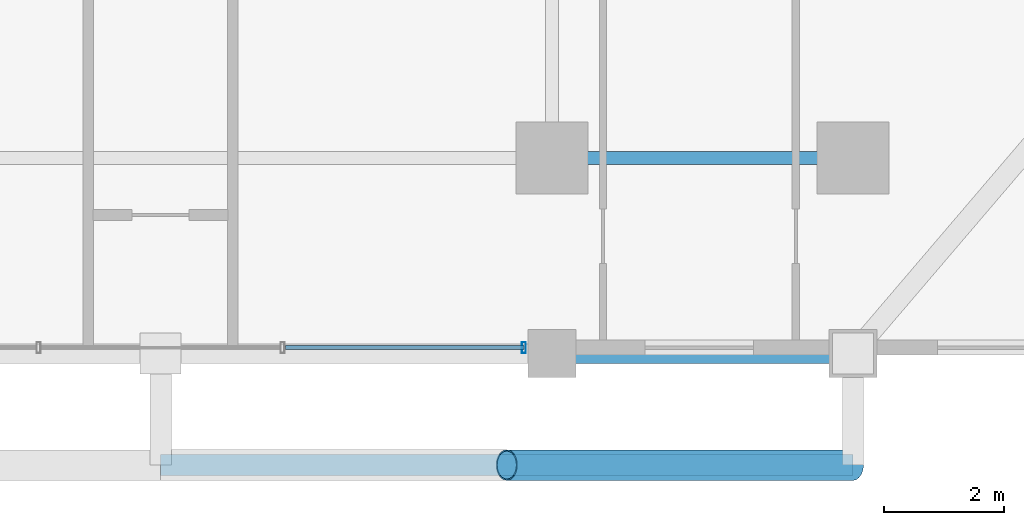
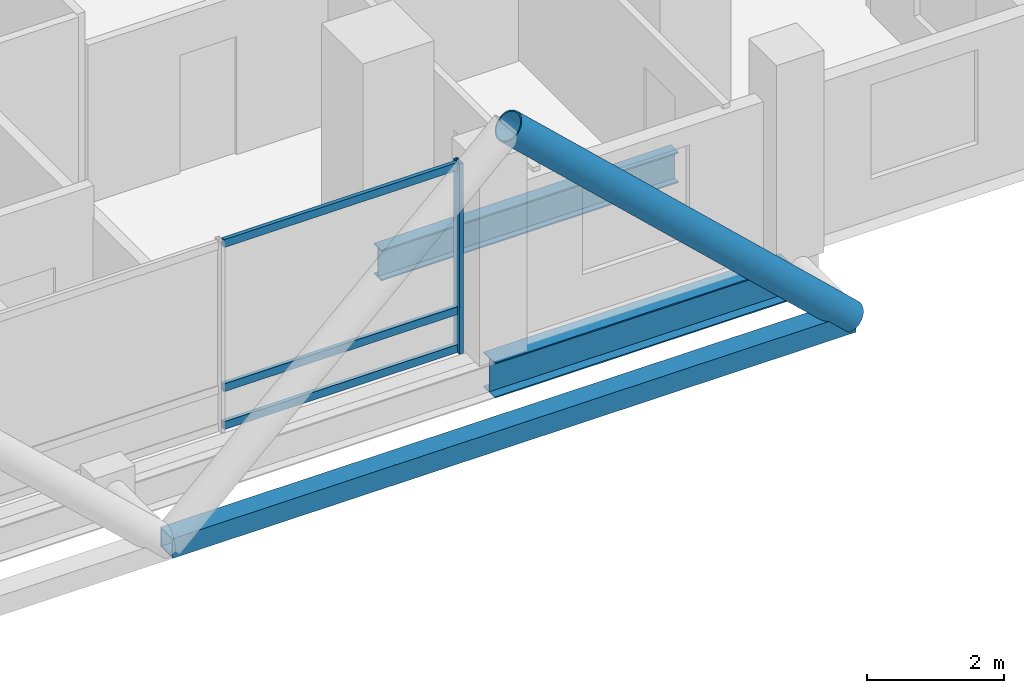
# One storey, part 3 of 25: 6 members, 2 beams, 1 element without a shape of its own.
"""IFC4 building model written with IfcOpenShell, lengths in metres."""

import ifcopenshell
import ifcopenshell.guid

model = None  # the IFC model being written
_history = None  # IfcOwnerHistory: only IFC2X3 demands one
_inside = {}  # id of a spatial element -> (the spatial element, [elements in it])
_under = {}  # id of a project, library or spatial element -> (it, [spatial elements below it])
_declared = {}  # id of a project -> (the project, [libraries it declares])
_typed = {}  # id of a type object -> (the type object, [elements of that type])
_made_of = {}  # id of a material, layer set ... -> (it, [elements and type objects made of it])


def new_model(schema):
    """Start an empty IFC model of exactly this schema.

    Asked for "IFC4X3", IfcOpenShell would pick the latest addendum, in which some entities
    have other attributes; the version numbers below select the first issue.
    IFC2X3 requires an IfcOwnerHistory on every rooted entity: one is made here for all.
    """
    global model, _history
    if schema == "IFC4X3":
        model = ifcopenshell.file(schema_version=(4, 3, 0, 0))
    else:
        model = ifcopenshell.file(schema=schema)
    _inside.clear()
    _under.clear()
    _declared.clear()
    _typed.clear()
    _made_of.clear()
    _history = None
    if model.schema == "IFC2X3":
        org = make("IfcOrganization", Name="unknown")
        user = make(
            "IfcPersonAndOrganization",
            ThePerson=make("IfcPerson", FamilyName="unknown"),
            TheOrganization=org,
        )
        app = make(
            "IfcApplication",
            ApplicationDeveloper=org,
            Version="unknown",
            ApplicationFullName="unknown",
            ApplicationIdentifier="unknown",
        )
        _history = make(
            "IfcOwnerHistory",
            OwningUser=user,
            OwningApplication=app,
            ChangeAction="ADDED",
            CreationDate=0,
        )
    return model


def make(cls, **values):
    """One entity of the class cls with the attributes given. An attribute that is None is left unset."""
    return model.create_entity(
        cls, **{name: value for name, value in values.items() if value is not None}
    )


def rooted(cls, **values):
    """An entity with a GlobalId (a new one), such as an element, a storey or a relation."""
    return make(cls, GlobalId=ifcopenshell.guid.new(), OwnerHistory=_history, **values)


def si_unit(unit_type, name, prefix=None):
    """IfcSIUnit, for example si_unit("LENGTHUNIT", "METRE", prefix="MILLI")."""
    return make("IfcSIUnit", UnitType=unit_type, Prefix=prefix, Name=name)


def assignment(units):
    """IfcUnitAssignment: the units of a project."""
    return None if units is None else make("IfcUnitAssignment", Units=units)


def point(xyz):
    """IfcCartesianPoint."""
    return None if xyz is None else make("IfcCartesianPoint", Coordinates=xyz)


def direction(xyz):
    """IfcDirection."""
    return None if xyz is None else make("IfcDirection", DirectionRatios=xyz)


def frame(location, z_axis=None, x_axis=None):
    """IfcAxis2Placement3D, a coordinate frame: its origin and axes. An axis left out is left unset."""
    return make(
        "IfcAxis2Placement3D",
        Location=point(location),
        Axis=direction(z_axis),
        RefDirection=direction(x_axis),
    )


def frame_2d(location, x_axis=None):
    """IfcAxis2Placement2D, a coordinate frame in the plane: its origin and x axis."""
    return make(
        "IfcAxis2Placement2D", Location=point(location), RefDirection=direction(x_axis)
    )


def origin():
    """The frame at (0, 0, 0) with its axes left unset."""
    return frame((0.0, 0.0, 0.0))


def origin_2d():
    """The frame at (0, 0) in the plane with its x axis left unset."""
    return frame_2d((0.0, 0.0))


def place(relative_to, where):
    """IfcLocalPlacement: puts the frame where relative to a parent placement (None: the world)."""
    return make(
        "IfcLocalPlacement", PlacementRelTo=relative_to, RelativePlacement=where
    )


def context(
    kind, dimensions, precision=None, world=None, true_north=None, identifier=None
):
    """IfcGeometricRepresentationContext, for example the 3D "Model" context."""
    return make(
        "IfcGeometricRepresentationContext",
        ContextIdentifier=identifier,
        ContextType=kind,
        CoordinateSpaceDimension=dimensions,
        Precision=precision,
        WorldCoordinateSystem=world,
        TrueNorth=true_north,
    )


def subcontext(parent, identifier, kind, view, scale=None):
    """IfcGeometricRepresentationSubContext, for example "Body" below "Model"."""
    return make(
        "IfcGeometricRepresentationSubContext",
        ContextIdentifier=identifier,
        ContextType=kind,
        ParentContext=parent,
        TargetScale=scale,
        TargetView=view,
    )


def project(units=None, contexts=None):
    """IfcProject with its units and contexts."""
    return rooted(
        "IfcProject",
        Name="project",
        RepresentationContexts=contexts,
        UnitsInContext=assignment(units),
    )


def spatial(cls, under=None, at=None, **own):
    """A site, building, storey or space (cls), placed at a placement, below another one or the project."""
    s = rooted(cls, ObjectPlacement=at, **own)
    if under is not None:
        _under.setdefault(under.id(), (under, []))[1].append(s)
    return s


def profile(cls, at=None, kind="AREA", **sizes):
    """A parametric profile (cls). Its sizes go by their IFC names, for example OverallWidth=200.0."""
    return make(cls, ProfileType=kind, Position=at, **sizes)


def hollow_rectangle(**sizes):
    """IfcRectangleHollowProfileDef."""
    return profile("IfcRectangleHollowProfileDef", **sizes)


def hollow_circle(**sizes):
    """IfcCircleHollowProfileDef."""
    return profile("IfcCircleHollowProfileDef", **sizes)


def i_section(**sizes):
    """IfcIShapeProfileDef."""
    return profile("IfcIShapeProfileDef", **sizes)


def extrude(swept, where, along, depth):
    """IfcExtrudedAreaSolid: the profile swept, set in the frame where, extruded along a direction by depth."""
    return make(
        "IfcExtrudedAreaSolid",
        SweptArea=swept,
        Position=where,
        ExtrudedDirection=direction(along),
        Depth=depth,
    )


def shape(context_of_items, identifier, shape_type, items):
    """IfcShapeRepresentation: the items that make up one representation, for example the "Body"."""
    return make(
        "IfcShapeRepresentation",
        ContextOfItems=context_of_items,
        RepresentationIdentifier=identifier,
        RepresentationType=shape_type,
        Items=items,
    )


def material(Name=None, Category=None):
    """IfcMaterial."""
    return make("IfcMaterial", Name=Name, Category=Category)


def layer(
    of_material, thickness, ventilated=None, Name=None, Category=None, Priority=None
):
    """IfcMaterialLayer: one layer of a wall or slab, of a material (None: an air gap)."""
    return make(
        "IfcMaterialLayer",
        Material=of_material,
        LayerThickness=thickness,
        IsVentilated=ventilated,
        Name=Name,
        Category=Category,
        Priority=Priority,
    )


def layer_set(layers, Name=None):
    """IfcMaterialLayerSet."""
    return make("IfcMaterialLayerSet", MaterialLayers=layers, LayerSetName=Name)


def material_profile(
    of_material, cross_section, Name=None, Category=None, Priority=None
):
    """IfcMaterialProfile: a cross section and its material."""
    return make(
        "IfcMaterialProfile",
        Name=Name,
        Material=of_material,
        Profile=cross_section,
        Priority=Priority,
        Category=Category,
    )


def profile_set(profiles, Name=None, composite=None):
    """IfcMaterialProfileSet."""
    return make(
        "IfcMaterialProfileSet",
        Name=Name,
        MaterialProfiles=profiles,
        CompositeProfile=composite,
    )


def made_of(thing, what):
    """Note that an element or type object is made of a material, layer set ...; save() writes the relation."""
    if what is not None:
        _made_of.setdefault(what.id(), (what, []))[1].append(thing)
    return thing


def type_object(cls, material=None, **own):
    """A type object (cls), such as IfcWallType, which elements share."""
    return made_of(rooted(cls, **own), material)


def element(
    cls,
    number,
    at=None,
    inside=None,
    cuts=None,
    type_object=None,
    material=None,
    context=None,
    identifier="Body",
    shape_type=None,
    held_by="IfcProductDefinitionShape",
    body=None,
    shapes=None,
    **own,
):
    """One element of the class cls, such as IfcWall. Its Tag is "e" and its number.

    at: its placement. inside: the storey or other place that contains it. cuts: it is an
    opening in that element (IfcRelVoidsElement). A single representation is given by context,
    identifier, shape_type and body (its items); several are given by shapes. held_by: the class
    of the entity that holds the representations. save() writes the other relations.
    """
    e = rooted(cls, Tag="e%d" % number, ObjectPlacement=at, **own)
    if body is not None:
        shapes = [shape(context, identifier, shape_type, body)]
    if shapes is not None:
        e.Representation = make(held_by, Representations=shapes)
    if inside is not None:
        _inside.setdefault(inside.id(), (inside, []))[1].append(e)
    if cuts is not None:
        rooted(
            "IfcRelVoidsElement", RelatingBuildingElement=cuts, RelatedOpeningElement=e
        )
    if type_object is not None:
        _typed.setdefault(type_object.id(), (type_object, []))[1].append(e)
    return made_of(e, material)


def aggregate(whole, parts):
    """IfcRelAggregates: a whole, such as a stair, and the parts it consists of."""
    return rooted("IfcRelAggregates", RelatingObject=whole, RelatedObjects=parts)


def save(model, path):
    """Write the relations noted so far, then the file.

    IfcRelAggregates (storeys below a building ...), IfcRelContainedInSpatialStructure (elements
    in a storey), IfcRelDefinesByType, IfcRelAssociatesMaterial and IfcRelDeclares: one each for
    every whole, place, type object, material and project.
    """
    for whole, parts in _under.values():
        aggregate(whole, parts)
    for where, things in _inside.values():
        rooted(
            "IfcRelContainedInSpatialStructure",
            RelatedElements=things,
            RelatingStructure=where,
        )
    for kind, things in _typed.values():
        rooted("IfcRelDefinesByType", RelatedObjects=things, RelatingType=kind)
    for what, things in _made_of.values():
        rooted("IfcRelAssociatesMaterial", RelatedObjects=things, RelatingMaterial=what)
    for by, libraries in _declared.values():
        rooted("IfcRelDeclares", RelatingContext=by, RelatedDefinitions=libraries)
    model.write(path)


model = new_model("IFC4")

# Units and contexts
model_context = context("Model", 3, precision=1e-05, world=origin(), true_north=direction((0.0, 1.0)))
body_context = subcontext(model_context, "Body", "Model", "MODEL_VIEW")
ifc_project = project(units=[si_unit("LENGTHUNIT", "METRE"), si_unit("AREAUNIT", "SQUARE_METRE"), si_unit("VOLUMEUNIT", "CUBIC_METRE"), si_unit("PLANEANGLEUNIT", "RADIAN"), si_unit("MASSUNIT", "GRAM", prefix="KILO")], contexts=[model_context])

# Site, building, storey
site_placement = place(None, origin())
site = spatial("IfcSite", under=ifc_project, at=site_placement, CompositionType="ELEMENT")
building_placement = place(site_placement, origin())
building = spatial("IfcBuilding", under=site, at=building_placement, Name="Barlavira Tower and Art Museum", CompositionType="ELEMENT")
storey_placement = place(building_placement, frame((0.0, 0.0, 133.199951171875)))
storey = spatial("IfcBuildingStorey", under=building, at=storey_placement, Name="L33", CompositionType="ELEMENT", Elevation=133.199951171875)

# Curtain wall, members
ifc_material_1 = material(Name="Low-iron coastal laminated glass", Category="glass")
ifc_layer = layer(ifc_material_1, 0.18994140625, Name="Low-iron coastal laminated glass")
ifc_layer_set = layer_set([ifc_layer], Name="Low-iron coastal laminated glass")
curtain_wall_type = type_object("IfcCurtainWallType", Name="Pale-Metal Unitised Curtain Wall Zone 2", PredefinedType="NOTDEFINED", material=ifc_layer_set)
curtain_wall_placement = place(storey_placement, origin())
curtain_wall = element("IfcCurtainWall", 1, at=curtain_wall_placement, inside=storey, type_object=curtain_wall_type, Name="L33 Curtain Wall CW2-L33-S-B3", PredefinedType="NOTDEFINED")
ifc_material_2 = material(Name="Pale anodised aluminium", Category="aluminium")
ifc_material_profile_1 = material_profile(ifc_material_2, hollow_rectangle(XDim=0.06494140625, YDim=0.179931640625, WallThickness=0.00390625, at=origin_2d()), Name="ALU-MULL 65x180x4")
ifc_profile_set_1 = profile_set([ifc_material_profile_1], Name="Pale anodised aluminium")
member_type_1 = type_object("IfcMemberType", Name="Curtain Wall Pale-Metal Mullion 65x180", PredefinedType="MULLION", material=ifc_profile_set_1)
member_1_placement = place(storey_placement, frame((6.034912109375, -23.14990234375, 0.0), z_axis=(0.0, 0.0, 1.0), x_axis=(1.0, 0.0, 0.0)))
member_1 = element("IfcMember", 2, at=member_1_placement, type_object=member_type_1, Name="CW2-L33-S-B3 Mullion 3", PredefinedType="MULLION", context=body_context, shape_type="SweptSolid", body=[
    extrude(hollow_rectangle(XDim=0.06494140625, YDim=0.179931640625, WallThickness=0.00390625, at=origin_2d()), origin(), (0.0, 0.0, 1.0), 3.380126953125),
])
ifc_material_profile_2 = material_profile(ifc_material_2, hollow_rectangle(XDim=0.06494140625, YDim=0.139892578125, WallThickness=0.00390625, at=origin_2d()), Name="ALU-TRAN 65x140x4")
ifc_profile_set_2 = profile_set([ifc_material_profile_2], Name="Pale anodised aluminium")
member_type_2 = type_object("IfcMemberType", Name="Curtain Wall Pale-Metal Transom 65x140", PredefinedType="USERDEFINED", material=ifc_profile_set_2)
member_2_placement = place(storey_placement, frame((2.07177734375, -23.14990234375, 0.070068359375), z_axis=(1.0, 0.0, 0.0), x_axis=(0.0, 1.0, 0.0)))
member_2 = element("IfcMember", 3, at=member_2_placement, type_object=member_type_2, Name="CW2-L33-S-B3 Transom 2.1", ObjectType="TRANSOM", PredefinedType="USERDEFINED", context=body_context, shape_type="SweptSolid", body=[
    extrude(hollow_rectangle(XDim=0.06494140625, YDim=0.139892578125, WallThickness=0.00390625, at=origin_2d()), origin(), (0.0, 0.0, 1.0), 3.963134765625),
])
member_3_placement = place(storey_placement, frame((2.07177734375, -23.14990234375, 0.744140625), z_axis=(1.0, 0.0, 0.0), x_axis=(0.0, 1.0, 0.0)))
member_3 = element("IfcMember", 4, at=member_3_placement, type_object=member_type_2, Name="CW2-L33-S-B3 Transom 2.2", ObjectType="TRANSOM", PredefinedType="USERDEFINED", context=body_context, shape_type="SweptSolid", body=[
    extrude(hollow_rectangle(XDim=0.06494140625, YDim=0.139892578125, WallThickness=0.00390625, at=origin_2d()), origin(), (0.0, 0.0, 1.0), 3.963134765625),
])
member_4_placement = place(storey_placement, frame((2.07177734375, -23.14990234375, 3.31005859375), z_axis=(1.0, 0.0, 0.0), x_axis=(0.0, 1.0, 0.0)))
member_4 = element("IfcMember", 5, at=member_4_placement, type_object=member_type_2, Name="CW2-L33-S-B3 Transom 2.3", ObjectType="TRANSOM", PredefinedType="USERDEFINED", context=body_context, shape_type="SweptSolid", body=[
    extrude(hollow_rectangle(XDim=0.06494140625, YDim=0.139892578125, WallThickness=0.00390625, at=origin_2d()), origin(), (0.0, 0.0, 1.0), 3.963134765625),
])
aggregate(curtain_wall, [member_1, member_2, member_3, member_4])

# Members
ifc_material_3 = material(Name="Steel S355", Category="steel")
ifc_material_profile_3 = material_profile(ifc_material_3, hollow_circle(Radius=0.25390625, WallThickness=0.022216796875, at=origin_2d()), Name="CHS 508.0x22.2")
ifc_profile_set_3 = profile_set([ifc_material_profile_3], Name="Steel S355")
member_type_3 = type_object("IfcMemberType", Name="Pale-Metal Exoskeleton Diagrid Tube CHS 508x22 Steel S355", PredefinedType="BRACE", material=ifc_profile_set_3)
member_5_placement = place(storey_placement, frame((11.5, -25.10009765625, -0.119873046875), z_axis=(-0.728950095515, 0.0, 0.684566839869), x_axis=(0.0, -1.0, 0.0)))
element("IfcMember", 6, at=member_5_placement, inside=storey, type_object=member_type_3, Name="L33 Exoskeleton Diagrid Tube S", PredefinedType="BRACE", context=body_context, shape_type="SweptSolid", body=[
    extrude(hollow_circle(Radius=0.25390625, WallThickness=0.022216796875, at=origin_2d()), origin(), (0.0, 0.0, 1.0), 7.887939453125),
])
ifc_material_profile_4 = material_profile(ifc_material_3, hollow_rectangle(XDim=0.35009765625, YDim=0.35009765625, WallThickness=0.02001953125, at=origin_2d()), Name="SHS 350x350x20.0")
ifc_profile_set_4 = profile_set([ifc_material_profile_4], Name="Steel S355")
member_type_4 = type_object("IfcMemberType", Name="Pale-Metal Exoskeleton Ring Strut SHS 350x350x20 Steel S355", PredefinedType="STRUT", material=ifc_profile_set_4)
member_6_placement = place(storey_placement, frame((0.0, -25.10009765625, -0.119873046875), z_axis=(1.0, 0.0, 0.0), x_axis=(0.0, 1.0, 0.0)))
element("IfcMember", 7, at=member_6_placement, inside=storey, type_object=member_type_4, Name="L33 Exoskeleton Ring Strut S", PredefinedType="STRUT", context=body_context, shape_type="SweptSolid", body=[
    extrude(hollow_rectangle(XDim=0.35009765625, YDim=0.35009765625, WallThickness=0.02001953125, at=origin_2d()), origin(), (0.0, 0.0, 1.0), 11.5),
])

# Beams
ifc_material_profile_5 = material_profile(ifc_material_3, i_section(OverallWidth=0.327880859375, OverallDepth=0.62890625, WebThickness=0.013916015625, FlangeThickness=0.021484375, at=origin_2d()), Name="W610x174.0")
ifc_profile_set_5 = profile_set([ifc_material_profile_5], Name="Steel S355")
beam_type_1 = type_object("IfcBeamType", Name="Perimeter Spandrel Edge Beam W610x174 Steel S355", PredefinedType="SPANDREL", material=ifc_profile_set_5)
beam_1_placement = place(storey_placement, frame((6.5, -23.25, -0.534423828125), z_axis=(1.0, 0.0, 0.0), x_axis=(0.0, 1.0, 0.0)))
element("IfcBeam", 8, at=beam_1_placement, inside=storey, type_object=beam_type_1, Name="L33 Spandrel 3", PredefinedType="SPANDREL", context=body_context, shape_type="SweptSolid", body=[
    extrude(i_section(OverallWidth=0.327880859375, OverallDepth=0.62890625, WebThickness=0.013916015625, FlangeThickness=0.021484375, at=origin_2d()), origin(), (0.0, 0.0, 1.0), 5.0),
])
ifc_material_profile_6 = material_profile(ifc_material_3, i_section(OverallWidth=0.214111328125, OverallDepth=0.549072265625, WebThickness=0.0146484375, FlangeThickness=0.023681640625, at=origin_2d()), Name="W530x138.0")
ifc_profile_set_6 = profile_set([ifc_material_profile_6], Name="Steel S355")
beam_type_2 = type_object("IfcBeamType", Name="Zone 1 Primary Floor Girder W530x138 Steel S355", PredefinedType="BEAM", material=ifc_profile_set_6)
beam_2_placement = place(storey_placement, frame((6.5, -20.0, -0.494384765625), z_axis=(1.0, 0.0, 0.0), x_axis=(0.0, 1.0, 0.0)))
element("IfcBeam", 9, at=beam_2_placement, inside=storey, type_object=beam_type_2, Name="L33 Girder M-S3", PredefinedType="BEAM", context=body_context, shape_type="SweptSolid", body=[
    extrude(i_section(OverallWidth=0.214111328125, OverallDepth=0.549072265625, WebThickness=0.0146484375, FlangeThickness=0.023681640625, at=origin_2d()), origin(), (0.0, 0.0, 1.0), 5.0),
])

save(model, "model.ifc")
